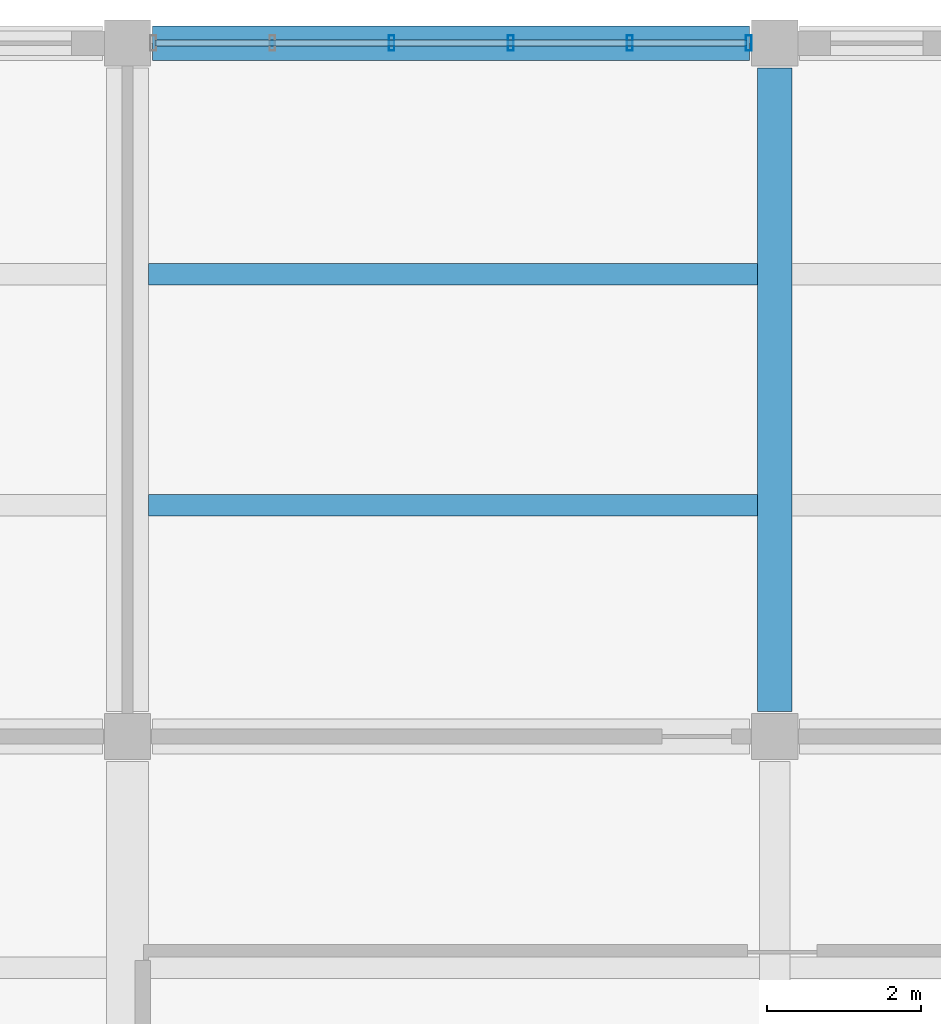
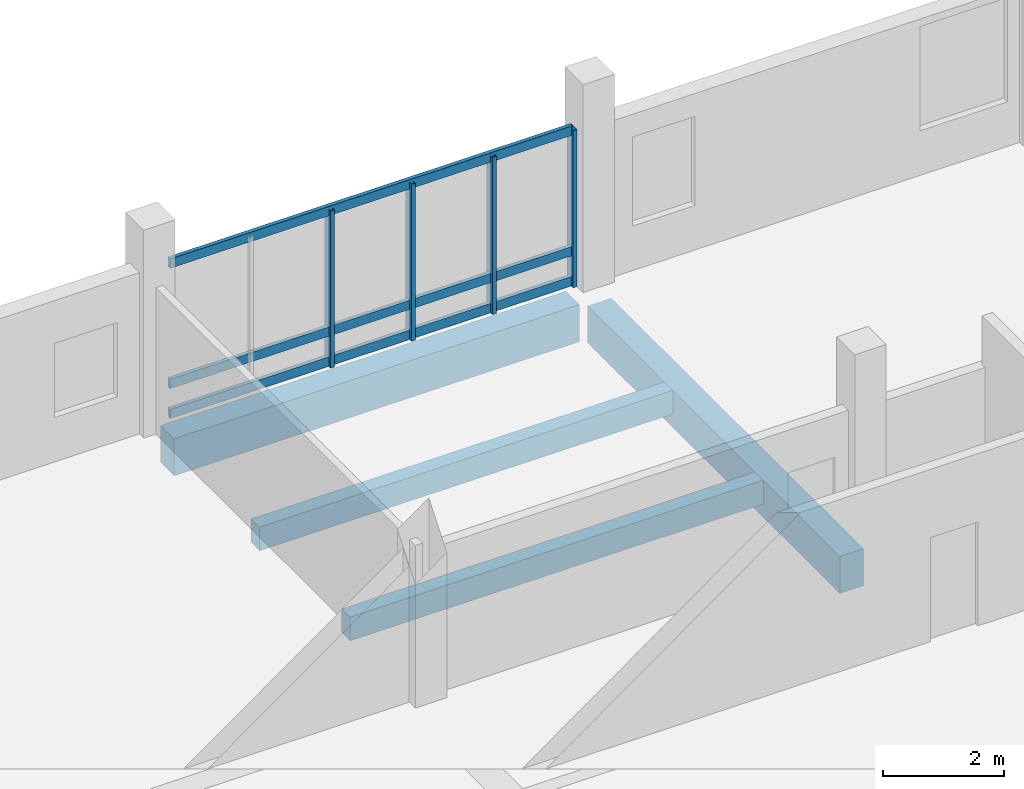
# One storey, part 83 of 130: 7 members, 4 beams, 1 element without a shape of its own.
"""IFC4 building model written with IfcOpenShell, lengths in metres."""

from ifc_helpers import new_model, si_unit, direction, frame, origin, origin_2d, place, context, subcontext, project, spatial, rectangle, hollow_rectangle, extrude, material, layer, layer_set, material_profile, profile_set, type_object, element, aggregate, save


model = new_model("IFC4")

# Units and contexts
model_context = context("Model", 3, precision=1e-05, world=origin(), true_north=direction((0.0, 1.0)))
body_context = subcontext(model_context, "Body", "Model", "MODEL_VIEW")
ifc_project = project(units=[si_unit("LENGTHUNIT", "METRE"), si_unit("AREAUNIT", "SQUARE_METRE"), si_unit("VOLUMEUNIT", "CUBIC_METRE"), si_unit("PLANEANGLEUNIT", "RADIAN"), si_unit("MASSUNIT", "GRAM", prefix="KILO")], contexts=[model_context])

# Site, building, storey
site_placement = place(None, origin())
site = spatial("IfcSite", under=ifc_project, at=site_placement, CompositionType="ELEMENT")
building_placement = place(site_placement, origin())
building = spatial("IfcBuilding", under=site, at=building_placement, Name="Vireocrest Preparatory School", CompositionType="ELEMENT")
storey_placement = place(building_placement, frame((0.0, 0.0, 9.0)))
storey = spatial("IfcBuildingStorey", under=building, at=storey_placement, Name="L02", CompositionType="ELEMENT", Elevation=9.0)

# Curtain wall, members
ifc_material_1 = material(Name="Thermally broken aluminium EN AW-6063-T6", Category="aluminium")
ifc_layer = layer(ifc_material_1, 0.179931640625)
ifc_layer_set = layer_set([ifc_layer], Name="Thermally broken aluminium EN AW-6063-T6")
curtain_wall_type = type_object("IfcCurtainWallType", Name="North Street Curtain Wall 8400x4000", PredefinedType="USERDEFINED", material=ifc_layer_set)
curtain_wall_placement = place(storey_placement, origin())
curtain_wall = element("IfcCurtainWall", 1, at=curtain_wall_placement, inside=storey, type_object=curtain_wall_type, Name="Curtain Wall CW05 CW_L02_CW05_1011_1128_090", ObjectType="CURTAIN WALL", PredefinedType="USERDEFINED")
ifc_material_profile_1 = material_profile(ifc_material_1, hollow_rectangle(XDim=0.074951171875, YDim=0.199951171875, WallThickness=0.0048828125, at=origin_2d()), Name="ALU 75x200x5")
ifc_profile_set_1 = profile_set([ifc_material_profile_1], Name="Thermally broken aluminium EN AW-6063-T6")
member_type_1 = type_object("IfcMemberType", Name="CW Mullion 75x200x5", PredefinedType="MULLION", material=ifc_profile_set_1)
member_1_placement = place(storey_placement, frame((104.22705078125, 112.800048828125, 0.0), z_axis=(0.0, 0.0, 1.0), x_axis=(1.0, 0.0, 0.0)))
member_1 = element("IfcMember", 2, at=member_1_placement, type_object=member_type_1, Name="CW Mullion ML3 CW_L02_CW05_1011_1128_090-3", PredefinedType="MULLION", context=body_context, shape_type="SweptSolid", body=[
    extrude(hollow_rectangle(XDim=0.074951171875, YDim=0.199951171875, WallThickness=0.0048828125, at=origin_2d()), origin(), (0.0, 0.0, 1.0), 3.175048828125),
])
member_2_placement = place(storey_placement, frame((105.77294921875, 112.800048828125, 0.0), z_axis=(0.0, 0.0, 1.0), x_axis=(1.0, 0.0, 0.0)))
member_2 = element("IfcMember", 3, at=member_2_placement, type_object=member_type_1, Name="CW Mullion ML3 CW_L02_CW05_1011_1128_090-4", PredefinedType="MULLION", context=body_context, shape_type="SweptSolid", body=[
    extrude(hollow_rectangle(XDim=0.074951171875, YDim=0.199951171875, WallThickness=0.0048828125, at=origin_2d()), origin(), (0.0, 0.0, 1.0), 3.175048828125),
])
member_3_placement = place(storey_placement, frame((107.319091796875, 112.800048828125, 0.0), z_axis=(0.0, 0.0, 1.0), x_axis=(1.0, 0.0, 0.0)))
member_3 = element("IfcMember", 4, at=member_3_placement, type_object=member_type_1, Name="CW Mullion ML3 CW_L02_CW05_1011_1128_090-5", PredefinedType="MULLION", context=body_context, shape_type="SweptSolid", body=[
    extrude(hollow_rectangle(XDim=0.074951171875, YDim=0.199951171875, WallThickness=0.0048828125, at=origin_2d()), origin(), (0.0, 0.0, 1.0), 3.175048828125),
])
member_4_placement = place(storey_placement, frame((108.864990234375, 112.800048828125, 0.0), z_axis=(0.0, 0.0, 1.0), x_axis=(1.0, 0.0, 0.0)))
member_4 = element("IfcMember", 5, at=member_4_placement, type_object=member_type_1, Name="CW Mullion ML3 CW_L02_CW05_1011_1128_090-6", PredefinedType="MULLION", context=body_context, shape_type="SweptSolid", body=[
    extrude(hollow_rectangle(XDim=0.074951171875, YDim=0.199951171875, WallThickness=0.0048828125, at=origin_2d()), origin(), (0.0, 0.0, 1.0), 3.175048828125),
])
ifc_material_profile_2 = material_profile(ifc_material_1, hollow_rectangle(XDim=0.074951171875, YDim=0.18994140625, WallThickness=0.00390625, at=origin_2d()), Name="ALU 75x190x4")
ifc_profile_set_2 = profile_set([ifc_material_profile_2], Name="Thermally broken aluminium EN AW-6063-T6")
member_type_2 = type_object("IfcMemberType", Name="CW Transom 75x190x4", PredefinedType="USERDEFINED", material=ifc_profile_set_2)
member_5_placement = place(storey_placement, frame((101.159912109375, 112.800048828125, 0.094970703125), z_axis=(1.0, 0.0, 0.0), x_axis=(0.0, 1.0, 0.0)))
member_5 = element("IfcMember", 6, at=member_5_placement, type_object=member_type_2, Name="CW Transom TR3 CW_L02_CW05_1011_1128_090-1", ObjectType="TRANSOM", PredefinedType="USERDEFINED", context=body_context, shape_type="SweptSolid", body=[
    extrude(hollow_rectangle(XDim=0.074951171875, YDim=0.18994140625, WallThickness=0.00390625, at=origin_2d()), origin(), (0.0, 0.0, 1.0), 7.68017578125),
])
member_6_placement = place(storey_placement, frame((101.159912109375, 112.800048828125, 0.699951171875), z_axis=(1.0, 0.0, 0.0), x_axis=(0.0, 1.0, 0.0)))
member_6 = element("IfcMember", 7, at=member_6_placement, type_object=member_type_2, Name="CW Transom TR3 CW_L02_CW05_1011_1128_090-2", ObjectType="TRANSOM", PredefinedType="USERDEFINED", context=body_context, shape_type="SweptSolid", body=[
    extrude(hollow_rectangle(XDim=0.074951171875, YDim=0.18994140625, WallThickness=0.00390625, at=origin_2d()), origin(), (0.0, 0.0, 1.0), 7.68017578125),
])
member_7_placement = place(storey_placement, frame((101.159912109375, 112.800048828125, 3.135009765625), z_axis=(1.0, 0.0, 0.0), x_axis=(0.0, 1.0, 0.0)))
member_7 = element("IfcMember", 8, at=member_7_placement, type_object=member_type_2, Name="CW Transom TR3 CW_L02_CW05_1011_1128_090-3", ObjectType="TRANSOM", PredefinedType="USERDEFINED", context=body_context, shape_type="SweptSolid", body=[
    extrude(hollow_rectangle(XDim=0.074951171875, YDim=0.18994140625, WallThickness=0.00390625, at=origin_2d()), origin(), (0.0, 0.0, 1.0), 7.68017578125),
])
aggregate(curtain_wall, [member_1, member_2, member_3, member_4, member_5, member_6, member_7])

# Beams
ifc_material_2 = material(Name="Concrete 40 MPa", Category="concrete")
ifc_material_profile_3 = material_profile(ifc_material_2, rectangle(XDim=0.449951171875, YDim=0.75, at=origin_2d()), Name="RC 450x750")
ifc_profile_set_3 = profile_set([ifc_material_profile_3], Name="Concrete 40 MPa")
beam_type_1 = type_object("IfcBeamType", Name="RC Library Stack Girder 450x750", PredefinedType="BEAM", material=ifc_profile_set_3)
beam_1_placement = place(storey_placement, frame((101.125, 112.800048828125, -0.655029296875), z_axis=(1.0, 0.0, 0.0), x_axis=(0.0, 1.0, 0.0)))
element("IfcBeam", 9, at=beam_1_placement, inside=storey, type_object=beam_type_1, Name="Primary Girder B11 L02-0781", PredefinedType="BEAM", context=body_context, shape_type="SweptSolid", body=[
    extrude(rectangle(XDim=0.449951171875, YDim=0.75, at=origin_2d()), origin(), (0.0, 0.0, 1.0), 7.75),
])
beam_2_placement = place(storey_placement, frame((109.199951171875, 104.125, -0.655029296875), z_axis=(0.0, 1.0, 0.0), x_axis=(-1.0, 0.0, 0.0)))
element("IfcBeam", 10, at=beam_2_placement, inside=storey, type_object=beam_type_1, Name="Primary Girder B11 L02-0868", PredefinedType="BEAM", context=body_context, shape_type="SweptSolid", body=[
    extrude(rectangle(XDim=0.449951171875, YDim=0.75, at=origin_2d()), origin(), (0.0, 0.0, 1.0), 8.35009765625),
])
ifc_material_profile_4 = material_profile(ifc_material_2, rectangle(XDim=0.280029296875, YDim=0.47998046875, at=origin_2d()), Name="RC 280x480")
ifc_profile_set_4 = profile_set([ifc_material_profile_4], Name="Concrete 40 MPa")
beam_type_2 = type_object("IfcBeamType", Name="RC Secondary Lab Joist 280x480", PredefinedType="JOIST", material=ifc_profile_set_4)
for number, where, z_axis, x_axis, name in (
    (11, (101.074951171875, 106.800048828125, -0.52001953125), (1.0, 0.0, 0.0), (0.0, 1.0, 0.0), "Secondary Joist J02 L02-1002"),
    (12, (101.074951171875, 109.800048828125, -0.52001953125), (1.0, 0.0, 0.0), (0.0, 1.0, 0.0), "Secondary Joist J02 L02-1003"),
):
    element("IfcBeam", number, at=place(storey_placement, frame(where, z_axis=z_axis, x_axis=x_axis)), inside=storey, type_object=beam_type_2, Name=name, PredefinedType="JOIST", context=body_context, shape_type="SweptSolid", body=[
        extrude(rectangle(XDim=0.280029296875, YDim=0.47998046875, at=origin_2d()), origin(), (0.0, 0.0, 1.0), 7.900146484375),
    ])

save(model, "model.ifc")
